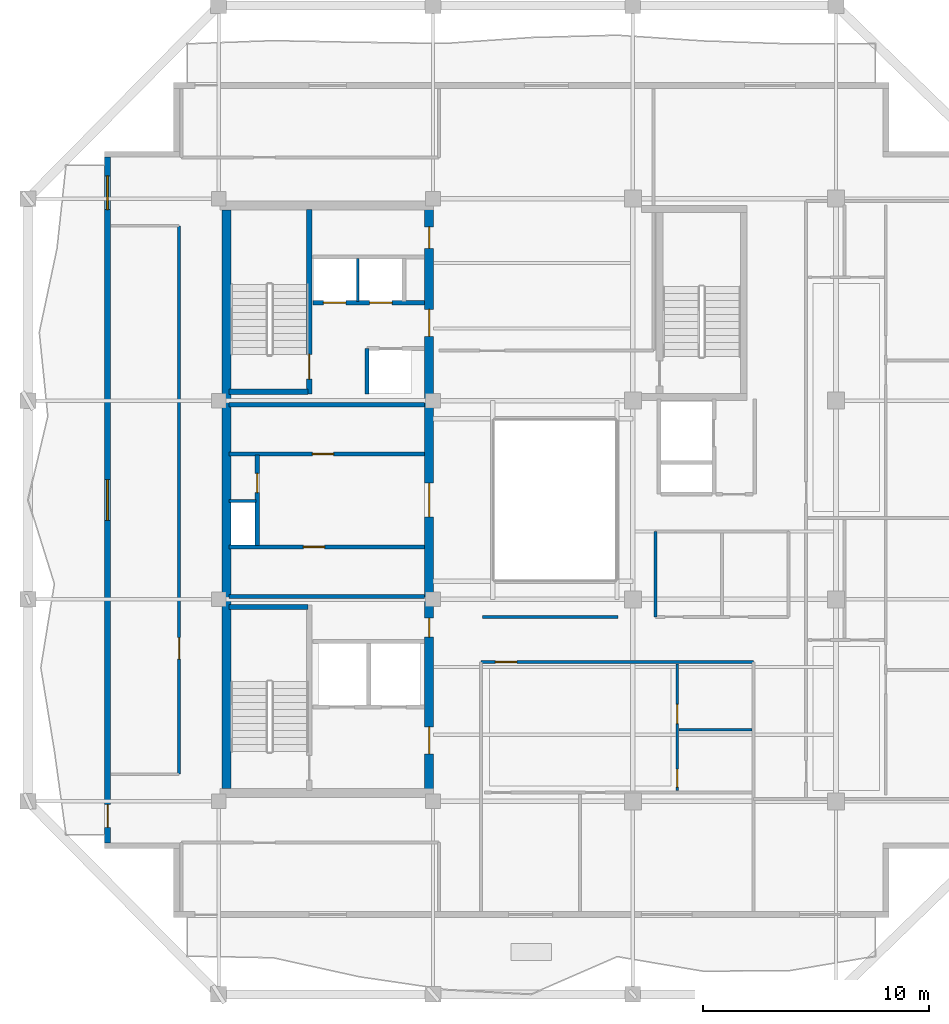
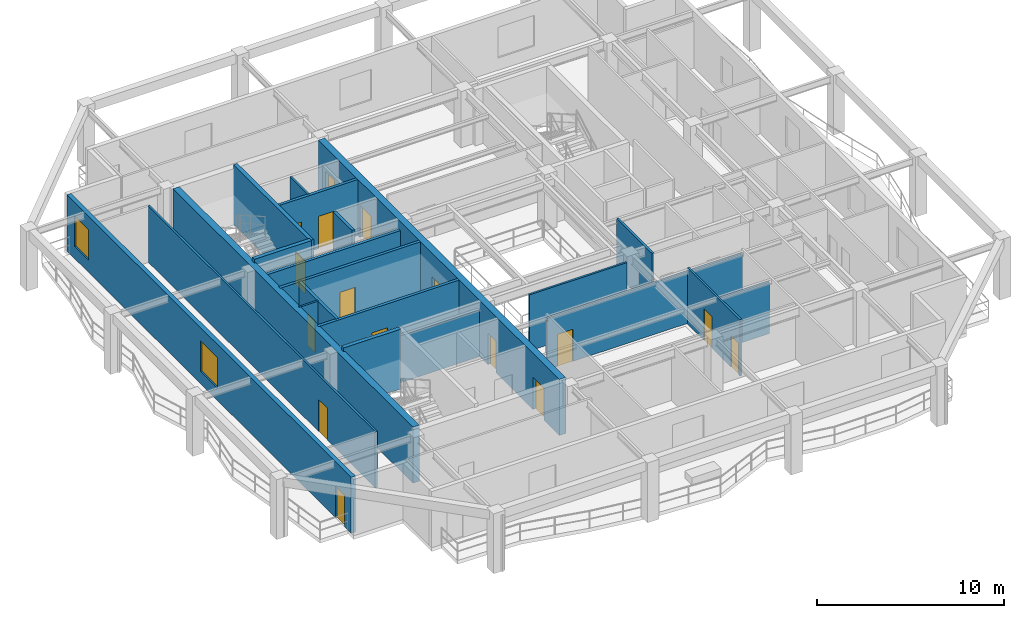
# One storey, part 3 of 10: 21 walls, 16 doors, 2 windows, 18 openings.
"""IFC4 building model written with IfcOpenShell, lengths in metres."""

from ifc_helpers import new_model, si_unit, direction, frame, frame_2d, origin, place, context, subcontext, project, spatial, rectangle, extrude, material, layer, layer_set, type_object, element, fill, save


model = new_model("IFC4")

# Units and contexts
model_context = context("Model", 3, precision=1e-05, world=origin(), true_north=direction((0.0, 1.0)))
body_context = subcontext(model_context, "Body", "Model", "MODEL_VIEW")
ifc_project = project(units=[si_unit("LENGTHUNIT", "METRE"), si_unit("AREAUNIT", "SQUARE_METRE"), si_unit("VOLUMEUNIT", "CUBIC_METRE"), si_unit("PLANEANGLEUNIT", "RADIAN"), si_unit("MASSUNIT", "GRAM", prefix="KILO")], contexts=[model_context])

# Site, building, storey
site_placement = place(None, origin())
site = spatial("IfcSite", under=ifc_project, at=site_placement, CompositionType="ELEMENT")
building_placement = place(site_placement, origin())
building = spatial("IfcBuilding", under=site, at=building_placement, Name="Kundavana Baori Tower", CompositionType="ELEMENT")
storey_placement = place(building_placement, frame((0.0, 0.0, 280.39990234375)))
storey = spatial("IfcBuildingStorey", under=building, at=storey_placement, Name="L69", CompositionType="ELEMENT", Elevation=280.39990234375)

# Wall
ifc_material_1 = material(Name="Concrete C50/60", Category="concrete")
ifc_layer_1 = layer(ifc_material_1, 0.39990234375, Name="WL-CORE-400")
ifc_layer_set_1 = layer_set([ifc_layer_1], Name="Concrete C50/60")
wall_type_1 = type_object("IfcWallType", Name="WL-CORE-400", PredefinedType="SHEAR", material=ifc_layer_set_1)
wall_1_placement = place(storey_placement, frame((15.7900390625, 15.81005859375, 0.0), z_axis=(0.0, 0.0, 1.0), x_axis=(0.0, 1.0, 0.0)))
element("IfcWall", 1, at=wall_1_placement, inside=storey, type_object=wall_type_1, Name="L69 Offset Core West Shear Wall", PredefinedType="SHEAR", context=body_context, shape_type="SweptSolid", body=[
    extrude(rectangle(XDim=25.6298828125, YDim=0.39990234375, at=frame_2d((12.81494140625, 0.0))), origin(), (0.0, 0.0, 1.0), 3.66015625),
])

# Wall, openings, doors
wall_2_placement = place(storey_placement, frame((24.780029296875, 15.739990234375, 0.0), z_axis=(0.0, 0.0, 1.0), x_axis=(0.0, 1.0, 0.0)))
wall_2 = element("IfcWall", 2, at=wall_2_placement, inside=storey, type_object=wall_type_1, Name="L69 Offset Core East Shear Wall", PredefinedType="SHEAR", context=body_context, shape_type="SweptSolid", body=[
    extrude(rectangle(XDim=25.760009765625, YDim=0.39990234375, at=frame_2d((12.8798828125, 0.0))), origin(), (0.0, 0.0, 1.0), 3.66015625),
])
opening_1_placement = place(wall_2_placement, frame((1.610107421875, 0.0, 0.0)))
opening_1 = element("IfcOpeningElement", 3, at=opening_1_placement, cuts=wall_2, Name="Opening FD-120", PredefinedType="OPENING", context=body_context, shape_type="SweptSolid", body=[
    extrude(rectangle(XDim=1.199951171875, YDim=2.10009765625, at=frame_2d((0.60009765625, 1.050048828125))), frame((0.0, 0.2099609375, 0.0), z_axis=(0.0, -1.0, 0.0), x_axis=(1.0, 0.0, 0.0)), (0.0, 0.0, 1.0), 0.419921875),
])
opening_2_placement = place(wall_2_placement, frame((6.780029296875, 0.0, 0.0)))
opening_2 = element("IfcOpeningElement", 4, at=opening_2_placement, cuts=wall_2, Name="Opening FD-085", PredefinedType="OPENING", context=body_context, shape_type="SweptSolid", body=[
    extrude(rectangle(XDim=0.85009765625, YDim=2.06005859375, at=frame_2d((0.425048828125, 1.030029296875))), frame((0.0, 0.2099609375, 0.0), z_axis=(0.0, -1.0, 0.0), x_axis=(1.0, 0.0, 0.0)), (0.0, 0.0, 1.0), 0.419921875),
])
opening_3_placement = place(wall_2_placement, frame((12.110107421875, 0.0, 0.0)))
opening_3 = element("IfcOpeningElement", 5, at=opening_3_placement, cuts=wall_2, Name="Opening FD-150", PredefinedType="OPENING", context=body_context, shape_type="SweptSolid", body=[
    extrude(rectangle(XDim=1.5, YDim=2.1201171875, at=frame_2d((0.75, 1.06005859375))), frame((0.0, 0.2099609375, 0.0), z_axis=(0.0, -1.0, 0.0), x_axis=(1.0, 0.0, 0.0)), (0.0, 0.0, 1.0), 0.419921875),
])
opening_4_placement = place(wall_2_placement, frame((20.110107421875, 0.0, 0.0)))
opening_4 = element("IfcOpeningElement", 6, at=opening_4_placement, cuts=wall_2, Name="Opening FD-122", PredefinedType="OPENING", context=body_context, shape_type="SweptSolid", body=[
    extrude(rectangle(XDim=1.199951171875, YDim=2.1201171875, at=frame_2d((0.60009765625, 1.06005859375))), frame((0.0, 0.2099609375, 0.0), z_axis=(0.0, -1.0, 0.0), x_axis=(1.0, 0.0, 0.0)), (0.0, 0.0, 1.0), 0.419921875),
])
opening_5_placement = place(wall_2_placement, frame((24.010009765625, 0.0, 0.0)))
opening_5 = element("IfcOpeningElement", 7, at=opening_5_placement, cuts=wall_2, Name="Opening FD-095", PredefinedType="OPENING", context=body_context, shape_type="SweptSolid", body=[
    extrude(rectangle(XDim=0.949951171875, YDim=2.10009765625, at=frame_2d((0.47509765625, 1.050048828125))), frame((0.0, 0.2099609375, 0.0), z_axis=(0.0, -1.0, 0.0), x_axis=(1.0, 0.0, 0.0)), (0.0, 0.0, 1.0), 0.419921875),
])
ifc_material_2 = material(Name="Galvanised Steel Fire-Rated Door Leaf", Category="steel")
door_type_1 = type_object("IfcDoorType", Name="DR-FD120-1200", OperationType="NOTDEFINED", PredefinedType="DOOR", material=ifc_material_2)
door_1_placement = place(opening_1_placement, frame((1.199951171875, 0.0, 0.0), z_axis=(0.0, 0.0, 1.0), x_axis=(-1.0, 0.0, 0.0)))
door_1 = element("IfcDoor", 8, at=door_1_placement, inside=storey, type_object=door_type_1, Name="DR-L69-FFLOB-E", OperationType="SINGLE_SWING_RIGHT", OverallHeight=2.10009765625, OverallWidth=1.199951171875, PredefinedType="DOOR", context=body_context, shape_type="SweptSolid", body=[
    extrude(rectangle(XDim=1.199951171875, YDim=2.10009765625, at=frame_2d((0.60009765625, 1.050048828125))), frame((0.0, 0.02490234375, 0.0), z_axis=(0.0, -1.0, 0.0), x_axis=(1.0, 0.0, 0.0)), (0.0, 0.0, 1.0), 0.050048828125),
])
fill(opening_1, door_1)
ifc_material_3 = material(Name="Galvanised Steel Fire-Rated Door Leaf", Category="steel")
door_type_2 = type_object("IfcDoorType", Name="DR-FD60-1200", OperationType="NOTDEFINED", PredefinedType="DOOR", material=ifc_material_3)
door_2_placement = place(opening_4_placement, frame((1.199951171875, 0.0, 0.0), z_axis=(0.0, 0.0, 1.0), x_axis=(-1.0, 0.0, 0.0)))
door_2 = element("IfcDoor", 9, at=door_2_placement, inside=storey, type_object=door_type_2, Name="DR-L69-HRLOB-E", OperationType="SINGLE_SWING_RIGHT", OverallHeight=2.1201171875, OverallWidth=1.199951171875, PredefinedType="DOOR", context=body_context, shape_type="SweptSolid", body=[
    extrude(rectangle(XDim=1.199951171875, YDim=2.1201171875, at=frame_2d((0.60009765625, 1.06005859375))), frame((0.0, 0.02490234375, 0.0), z_axis=(0.0, -1.0, 0.0), x_axis=(1.0, 0.0, 0.0)), (0.0, 0.0, 1.0), 0.050048828125),
])
fill(opening_4, door_2)
ifc_material_4 = material(Name="Galvanised Steel Fire-Rated Door Leaf", Category="steel")
door_type_3 = type_object("IfcDoorType", Name="DR-FD60-1500", OperationType="NOTDEFINED", PredefinedType="DOOR", material=ifc_material_4)
door_3_placement = place(opening_3_placement, frame((1.5, 0.0, 0.0), z_axis=(0.0, 0.0, 1.0), x_axis=(-1.0, 0.0, 0.0)))
door_3 = element("IfcDoor", 10, at=door_3_placement, inside=storey, type_object=door_type_3, Name="DR-L69-LIFTHALL-E", OperationType="SINGLE_SWING_LEFT", OverallHeight=2.1201171875, OverallWidth=1.5, PredefinedType="DOOR", context=body_context, shape_type="SweptSolid", body=[
    extrude(rectangle(XDim=1.5, YDim=2.1201171875, at=frame_2d((0.75, 1.06005859375))), frame((0.0, 0.02490234375, 0.0), z_axis=(0.0, -1.0, 0.0), x_axis=(1.0, 0.0, 0.0)), (0.0, 0.0, 1.0), 0.050048828125),
])
fill(opening_3, door_3)
ifc_material_5 = material(Name="Galvanised Steel Fire-Rated Door Leaf", Category="steel")
door_type_4 = type_object("IfcDoorType", Name="DR-FD60-850", OperationType="NOTDEFINED", PredefinedType="DOOR", material=ifc_material_5)
door_4_placement = place(opening_2_placement, frame((0.85009765625, 0.0, 0.0), z_axis=(0.0, 0.0, 1.0), x_axis=(-1.0, 0.0, 0.0)))
door_4 = element("IfcDoor", 11, at=door_4_placement, inside=storey, type_object=door_type_4, Name="DR-L69-CSMK1", OperationType="SINGLE_SWING_LEFT", OverallHeight=2.06005859375, OverallWidth=0.85009765625, PredefinedType="DOOR", context=body_context, shape_type="SweptSolid", body=[
    extrude(rectangle(XDim=0.85009765625, YDim=2.06005859375, at=frame_2d((0.425048828125, 1.030029296875))), frame((0.0, 0.02490234375, 0.0), z_axis=(0.0, -1.0, 0.0), x_axis=(1.0, 0.0, 0.0)), (0.0, 0.0, 1.0), 0.050048828125),
])
fill(opening_2, door_4)
ifc_material_6 = material(Name="Engineered Teak Fire-Rated Timber Door Leaf", Category="wood")
door_type_5 = type_object("IfcDoorType", Name="DR-FD60-950", OperationType="NOTDEFINED", PredefinedType="DOOR", material=ifc_material_6)
door_5_placement = place(opening_5_placement, frame((0.949951171875, 0.0, 0.0), z_axis=(0.0, 0.0, 1.0), x_axis=(-1.0, 0.0, 0.0)))
door_5 = element("IfcDoor", 12, at=door_5_placement, inside=storey, type_object=door_type_5, Name="DR-L69-CSRV1", OperationType="SINGLE_SWING_LEFT", OverallHeight=2.10009765625, OverallWidth=0.949951171875, PredefinedType="DOOR", context=body_context, shape_type="SweptSolid", body=[
    extrude(rectangle(XDim=0.949951171875, YDim=2.10009765625, at=frame_2d((0.47509765625, 1.050048828125))), frame((0.0, 0.02490234375, 0.0), z_axis=(0.0, -1.0, 0.0), x_axis=(1.0, 0.0, 0.0)), (0.0, 0.0, 1.0), 0.050048828125),
])
fill(opening_5, door_5)

# Wall
wall_3_placement = place(storey_placement, frame((15.89990234375, 23.860107421875, 0.0), z_axis=(0.0, 0.0, 1.0), x_axis=(1.0, 0.0, 0.0)))
element("IfcWall", 13, at=wall_3_placement, inside=storey, type_object=wall_type_1, Name="WL-L69-ST1-N", PredefinedType="SHEAR", context=body_context, shape_type="SweptSolid", body=[
    extrude(rectangle(XDim=3.52001953125, YDim=0.239990234375, at=frame_2d((1.760009765625, 0.0))), origin(), (0.0, 0.0, 1.0), 3.900146484375),
])

# Wall, opening, door
wall_4_placement = place(storey_placement, frame((19.4599609375, 33.300048828125, 0.0), z_axis=(0.0, 0.0, 1.0), x_axis=(0.0, 1.0, 0.0)))
wall_4 = element("IfcWall", 14, at=wall_4_placement, inside=storey, type_object=wall_type_1, Name="WL-L69-ST2-E", PredefinedType="SHEAR", context=body_context, shape_type="SweptSolid", body=[
    extrude(rectangle(XDim=8.179931640625, YDim=0.239990234375, at=frame_2d((4.08984375, 0.0))), origin(), (0.0, 0.0, 1.0), 3.900146484375),
])
opening_6_placement = place(wall_4_placement, frame((0.64990234375, 0.0, 0.0)))
opening_6 = element("IfcOpeningElement", 15, at=opening_6_placement, cuts=wall_4, Name="Opening FD-110", PredefinedType="OPENING", context=body_context, shape_type="SweptSolid", body=[
    extrude(rectangle(XDim=1.10009765625, YDim=2.10009765625, at=frame_2d((0.550048828125, 1.050048828125))), frame((0.0, 0.1298828125, 0.0), z_axis=(0.0, -1.0, 0.0), x_axis=(1.0, 0.0, 0.0)), (0.0, 0.0, 1.0), 0.260009765625),
])
ifc_material_7 = material(Name="Galvanised Steel Fire-Rated Door Leaf", Category="steel")
door_type_6 = type_object("IfcDoorType", Name="DR-FD120-1100", OperationType="NOTDEFINED", PredefinedType="DOOR", material=ifc_material_7)
door_6_placement = place(opening_6_placement, origin())
door_6 = element("IfcDoor", 16, at=door_6_placement, inside=storey, type_object=door_type_6, Name="DR-L69-ST2", OperationType="SINGLE_SWING_RIGHT", OverallHeight=2.10009765625, OverallWidth=1.10009765625, PredefinedType="DOOR", context=body_context, shape_type="SweptSolid", body=[
    extrude(rectangle(XDim=1.10009765625, YDim=2.10009765625, at=frame_2d((0.550048828125, 1.050048828125))), frame((0.0, 0.02490234375, 0.0), z_axis=(0.0, -1.0, 0.0), x_axis=(1.0, 0.0, 0.0)), (0.0, 0.0, 1.0), 0.050048828125),
])
fill(opening_6, door_6)

# Wall
wall_5_placement = place(storey_placement, frame((15.89990234375, 33.389892578125, 0.0), z_axis=(0.0, 0.0, 1.0), x_axis=(1.0, 0.0, 0.0)))
element("IfcWall", 17, at=wall_5_placement, inside=storey, type_object=wall_type_1, Name="WL-L69-ST2-S", PredefinedType="SHEAR", context=body_context, shape_type="SweptSolid", body=[
    extrude(rectangle(XDim=3.52001953125, YDim=0.239990234375, at=frame_2d((1.760009765625, 0.0))), origin(), (0.0, 0.0, 1.0), 3.900146484375),
])

# Wall, openings, door, windows
ifc_material_8 = material(Name="Kiln-Fired Terracotta Brick-Slip Masonry on Concrete C40/50", Category="masonry")
ifc_layer_2 = layer(ifc_material_8, 0.260009765625, Name="WL-EXT-BRK-260")
ifc_layer_set_2 = layer_set([ifc_layer_2], Name="Kiln-Fired Terracotta Brick-Slip Masonry on Concrete C40/50")
wall_type_2 = type_object("IfcWallType", Name="WL-EXT-BRK-260", PredefinedType="SOLIDWALL", material=ifc_layer_set_2)
wall_6_placement = place(storey_placement, frame((10.530029296875, 43.7900390625, 0.0), z_axis=(0.0, 0.0, 1.0), x_axis=(0.0, -1.0, 0.0)))
wall_6 = element("IfcWall", 18, at=wall_6_placement, inside=storey, type_object=wall_type_2, Name="L69 Exterior Insulated Facade Wall 10", PredefinedType="SOLIDWALL", context=body_context, shape_type="SweptSolid", body=[
    extrude(rectangle(XDim=30.380126953125, YDim=0.260009765625, at=frame_2d((15.18994140625, 0.0))), origin(), (0.0, 0.0, 1.0), 3.66015625),
])
opening_7_placement = place(wall_6_placement, frame((28.68994140625, 0.0, 0.0)))
opening_7 = element("IfcOpeningElement", 19, at=opening_7_placement, cuts=wall_6, Name="Opening BD-1", PredefinedType="OPENING", context=body_context, shape_type="SweptSolid", body=[
    extrude(rectangle(XDim=1.0, YDim=2.050048828125, at=frame_2d((0.5, 1.02490234375))), frame((0.0, 0.14013671875, 0.0), z_axis=(0.0, -1.0, 0.0), x_axis=(1.0, 0.0, 0.0)), (0.0, 0.0, 1.0), 0.280029296875),
])
opening_8_placement = place(wall_6_placement, frame((14.2900390625, 0.0, 0.800048828125)))
opening_8 = element("IfcOpeningElement", 20, at=opening_8_placement, cuts=wall_6, Name="Opening W-01", PredefinedType="OPENING", context=body_context, shape_type="SweptSolid", body=[
    extrude(rectangle(XDim=1.800048828125, YDim=2.0, at=frame_2d((0.89990234375, 1.0))), frame((0.0, 0.14013671875, 0.0), z_axis=(0.0, -1.0, 0.0), x_axis=(1.0, 0.0, 0.0)), (0.0, 0.0, 1.0), 0.280029296875),
])
opening_9_placement = place(wall_6_placement, frame((0.824951171875, 0.0, 0.800048828125)))
opening_9 = element("IfcOpeningElement", 21, at=opening_9_placement, cuts=wall_6, Name="Opening W-02", PredefinedType="OPENING", context=body_context, shape_type="SweptSolid", body=[
    extrude(rectangle(XDim=1.5, YDim=2.0, at=frame_2d((0.75, 1.0))), frame((0.0, 0.14013671875, 0.0), z_axis=(0.0, -1.0, 0.0), x_axis=(1.0, 0.0, 0.0)), (0.0, 0.0, 1.0), 0.280029296875),
])
ifc_material_9 = material(Name="Architectural Patinated Bronze Metalwork")
door_type_7 = type_object("IfcDoorType", Name="DR-EXT-LOG-1000", OperationType="NOTDEFINED", PredefinedType="DOOR", material=ifc_material_9)
door_7_placement = place(opening_7_placement, frame((1.0, 0.0, 0.0), z_axis=(0.0, 0.0, 1.0), x_axis=(-1.0, 0.0, 0.0)))
door_7 = element("IfcDoor", 22, at=door_7_placement, inside=storey, type_object=door_type_7, Name="L69 Loggia Balcony Access Door W", OperationType="SINGLE_SWING_RIGHT", OverallHeight=2.050048828125, OverallWidth=1.0, PredefinedType="DOOR", context=body_context, shape_type="SweptSolid", body=[
    extrude(rectangle(XDim=1.0, YDim=2.050048828125, at=frame_2d((0.5, 1.02490234375))), frame((0.0, 0.02490234375, 0.0), z_axis=(0.0, -1.0, 0.0), x_axis=(1.0, 0.0, 0.0)), (0.0, 0.0, 1.0), 0.050048828125),
])
fill(opening_7, door_7)
ifc_material_10 = material(Name="Double-Glazed Solar-Control Low-E Insulated Glass", Category="glass")
window_type_1 = type_object("IfcWindowType", Name="WIN-LOG-1500x2000", PartitioningType="SINGLE_PANEL", PredefinedType="WINDOW", material=ifc_material_10)
window_1_placement = place(opening_9_placement, origin())
window_1 = element("IfcWindow", 23, at=window_1_placement, inside=storey, type_object=window_type_1, Name="L69 Recessed Loggia Window W-3", OverallHeight=2.0, OverallWidth=1.5, PartitioningType="SINGLE_PANEL", PredefinedType="WINDOW", context=body_context, shape_type="SweptSolid", body=[
    extrude(rectangle(XDim=1.5, YDim=2.0, at=frame_2d((0.75, 1.0))), frame((0.0, 0.030029296875, 0.0), z_axis=(0.0, -1.0, 0.0), x_axis=(1.0, 0.0, 0.0)), (0.0, 0.0, 1.0), 0.06005859375),
])
fill(opening_9, window_1)
ifc_material_11 = material(Name="Double-Glazed Solar-Control Low-E Insulated Glass", Category="glass")
window_type_2 = type_object("IfcWindowType", Name="WIN-LOG-1800x2000", PartitioningType="SINGLE_PANEL", PredefinedType="WINDOW", material=ifc_material_11)
window_2_placement = place(opening_8_placement, origin())
window_2 = element("IfcWindow", 24, at=window_2_placement, inside=storey, type_object=window_type_2, Name="L69 Recessed Loggia Window W-2", OverallHeight=2.0, OverallWidth=1.800048828125, PartitioningType="SINGLE_PANEL", PredefinedType="WINDOW", context=body_context, shape_type="SweptSolid", body=[
    extrude(rectangle(XDim=1.800048828125, YDim=2.0, at=frame_2d((0.89990234375, 1.0))), frame((0.0, 0.030029296875, 0.0), z_axis=(0.0, -1.0, 0.0), x_axis=(1.0, 0.0, 0.0)), (0.0, 0.0, 1.0), 0.06005859375),
])
fill(opening_8, window_2)

# Walls
ifc_material_12 = material(Name="Acoustic Gypsum Plasterboard on Galvanised Steel Studs", Category="steel")
ifc_layer_3 = layer(ifc_material_12, 0.1201171875, Name="WL-PART-120")
ifc_layer_set_3 = layer_set([ifc_layer_3], Name="Acoustic Gypsum Plasterboard on Galvanised Steel Studs")
wall_type_3 = type_object("IfcWallType", Name="WL-PART-120", PredefinedType="PARTITIONING", material=ifc_layer_set_3)
wall_7_placement = place(storey_placement, frame((15.89990234375, 28.56005859375, 0.0), z_axis=(0.0, 0.0, 1.0), x_axis=(1.0, 0.0, 0.0)))
element("IfcWall", 25, at=wall_7_placement, inside=storey, type_object=wall_type_3, Name="WL-L69-RSRW-N", PredefinedType="PARTITIONING", context=body_context, shape_type="SweptSolid", body=[
    extrude(rectangle(XDim=1.2001953125, YDim=0.1201171875, at=frame_2d((0.60009765625, 0.0))), origin(), (0.0, 0.0, 1.0), 3.66015625),
])
wall_8_placement = place(storey_placement, frame((21.6201171875, 37.39990234375, 0.0), z_axis=(0.0, 0.0, 1.0), x_axis=(0.0, 1.0, 0.0)))
element("IfcWall", 26, at=wall_8_placement, inside=storey, type_object=wall_type_3, Name="WL-L69-HR-DIV1", PredefinedType="PARTITIONING", context=body_context, shape_type="SweptSolid", body=[
    extrude(rectangle(XDim=1.900146484375, YDim=0.1201171875, at=frame_2d((0.9501953125, 0.0))), origin(), (0.0, 0.0, 1.0), 3.66015625),
])

# Wall, opening, door
ifc_material_13 = material(Name="Autoclaved Aerated Concrete Blockwork Masonry", Category="masonry")
ifc_layer_4 = layer(ifc_material_13, 0.179931640625, Name="WL-SHAFT-180")
ifc_layer_set_4 = layer_set([ifc_layer_4], Name="Autoclaved Aerated Concrete Blockwork Masonry")
wall_type_4 = type_object("IfcWallType", Name="WL-SHAFT-180", PredefinedType="SOLIDWALL", material=ifc_layer_set_4)
wall_9_placement = place(storey_placement, frame((15.89990234375, 26.52001953125, 0.0), z_axis=(0.0, 0.0, 1.0), x_axis=(1.0, 0.0, 0.0)))
wall_9 = element("IfcWall", 27, at=wall_9_placement, inside=storey, type_object=wall_type_4, Name="WL-L69-LPLOW-N", PredefinedType="SOLIDWALL", context=body_context, shape_type="SweptSolid", body=[
    extrude(rectangle(XDim=8.68017578125, YDim=0.179931640625, at=frame_2d((4.340087890625, 0.0))), origin(), (0.0, 0.0, 1.0), 3.66015625),
])
opening_10_placement = place(wall_9_placement, frame((3.300048828125, 0.0, 0.0)))
opening_10 = element("IfcOpeningElement", 28, at=opening_10_placement, cuts=wall_9, Name="Opening FD-095", PredefinedType="OPENING", context=body_context, shape_type="SweptSolid", body=[
    extrude(rectangle(XDim=0.949951171875, YDim=2.10009765625, at=frame_2d((0.47509765625, 1.050048828125))), frame((0.0, 0.10009765625, 0.0), z_axis=(0.0, -1.0, 0.0), x_axis=(1.0, 0.0, 0.0)), (0.0, 0.0, 1.0), 0.199951171875),
])
door_8_placement = place(opening_10_placement, origin())
door_8 = element("IfcDoor", 29, at=door_8_placement, inside=storey, type_object=door_type_5, Name="DR-L69-FRLOW1", OperationType="SINGLE_SWING_LEFT", OverallHeight=2.10009765625, OverallWidth=0.949951171875, PredefinedType="DOOR", context=body_context, shape_type="SweptSolid", body=[
    extrude(rectangle(XDim=0.949951171875, YDim=2.10009765625, at=frame_2d((0.47509765625, 1.050048828125))), frame((0.0, 0.02490234375, 0.0), z_axis=(0.0, -1.0, 0.0), x_axis=(1.0, 0.0, 0.0)), (0.0, 0.0, 1.0), 0.050048828125),
])
fill(opening_10, door_8)

# Wall
wall_10_placement = place(storey_placement, frame((15.89990234375, 24.330078125, 0.0), z_axis=(0.0, 0.0, 1.0), x_axis=(1.0, 0.0, 0.0)))
element("IfcWall", 30, at=wall_10_placement, inside=storey, type_object=wall_type_4, Name="WL-L69-LPLOW-S", PredefinedType="SOLIDWALL", context=body_context, shape_type="SweptSolid", body=[
    extrude(rectangle(XDim=8.68017578125, YDim=0.179931640625, at=frame_2d((4.340087890625, 0.0))), origin(), (0.0, 0.0, 1.0), 3.06005859375),
])

# Wall, opening, door
wall_11_placement = place(storey_placement, frame((17.159912109375, 26.580078125, 0.0), z_axis=(0.0, 0.0, 1.0), x_axis=(0.0, 1.0, 0.0)))
wall_11 = element("IfcWall", 31, at=wall_11_placement, inside=storey, type_object=wall_type_4, Name="WL-L69-RSRW-E", PredefinedType="SOLIDWALL", context=body_context, shape_type="SweptSolid", body=[
    extrude(rectangle(XDim=4.02001953125, YDim=0.179931640625, at=frame_2d((2.010009765625, 0.0))), origin(), (0.0, 0.0, 1.0), 3.66015625),
])
opening_11_placement = place(wall_11_placement, frame((2.35009765625, 0.0, 0.0)))
opening_11 = element("IfcOpeningElement", 32, at=opening_11_placement, cuts=wall_11, Name="Opening FD-085", PredefinedType="OPENING", context=body_context, shape_type="SweptSolid", body=[
    extrude(rectangle(XDim=0.85009765625, YDim=2.06005859375, at=frame_2d((0.425048828125, 1.030029296875))), frame((0.0, 0.10009765625, 0.0), z_axis=(0.0, -1.0, 0.0), x_axis=(1.0, 0.0, 0.0)), (0.0, 0.0, 1.0), 0.199951171875),
])
door_9_placement = place(opening_11_placement, origin())
door_9 = element("IfcDoor", 33, at=door_9_placement, inside=storey, type_object=door_type_4, Name="DR-L69-CLN", OperationType="SINGLE_SWING_RIGHT", OverallHeight=2.06005859375, OverallWidth=0.85009765625, PredefinedType="DOOR", context=body_context, shape_type="SweptSolid", body=[
    extrude(rectangle(XDim=0.85009765625, YDim=2.06005859375, at=frame_2d((0.425048828125, 1.030029296875))), frame((0.0, 0.02490234375, 0.0), z_axis=(0.0, -1.0, 0.0), x_axis=(1.0, 0.0, 0.0)), (0.0, 0.0, 1.0), 0.050048828125),
])
fill(opening_11, door_9)

wall_12_placement = place(storey_placement, frame((15.89990234375, 30.639892578125, 0.0), z_axis=(0.0, 0.0, 1.0), x_axis=(1.0, 0.0, 0.0)))
wall_12 = element("IfcWall", 34, at=wall_12_placement, inside=storey, type_object=wall_type_4, Name="WL-L69-LPMID-S", PredefinedType="SOLIDWALL", context=body_context, shape_type="SweptSolid", body=[
    extrude(rectangle(XDim=8.68017578125, YDim=0.179931640625, at=frame_2d((4.340087890625, 0.0))), origin(), (0.0, 0.0, 1.0), 3.66015625),
])
opening_12_placement = place(wall_12_placement, frame((3.699951171875, 0.0, 0.0)))
opening_12 = element("IfcOpeningElement", 35, at=opening_12_placement, cuts=wall_12, Name="Opening FD-095", PredefinedType="OPENING", context=body_context, shape_type="SweptSolid", body=[
    extrude(rectangle(XDim=0.949951171875, YDim=2.10009765625, at=frame_2d((0.47509765625, 1.050048828125))), frame((0.0, 0.10009765625, 0.0), z_axis=(0.0, -1.0, 0.0), x_axis=(1.0, 0.0, 0.0)), (0.0, 0.0, 1.0), 0.199951171875),
])
door_10_placement = place(opening_12_placement, frame((0.949951171875, 0.0, 0.0), z_axis=(0.0, 0.0, 1.0), x_axis=(-1.0, 0.0, 0.0)))
door_10 = element("IfcDoor", 36, at=door_10_placement, inside=storey, type_object=door_type_5, Name="DR-L69-FRMID1", OperationType="SINGLE_SWING_RIGHT", OverallHeight=2.10009765625, OverallWidth=0.949951171875, PredefinedType="DOOR", context=body_context, shape_type="SweptSolid", body=[
    extrude(rectangle(XDim=0.949951171875, YDim=2.10009765625, at=frame_2d((0.47509765625, 1.050048828125))), frame((0.0, 0.02490234375, 0.0), z_axis=(0.0, -1.0, 0.0), x_axis=(1.0, 0.0, 0.0)), (0.0, 0.0, 1.0), 0.050048828125),
])
fill(opening_12, door_10)

# Walls
wall_13_placement = place(storey_placement, frame((15.89990234375, 32.820068359375, 0.0), z_axis=(0.0, 0.0, 1.0), x_axis=(1.0, 0.0, 0.0)))
element("IfcWall", 37, at=wall_13_placement, inside=storey, type_object=wall_type_4, Name="WL-L69-LPMID-N", PredefinedType="SOLIDWALL", context=body_context, shape_type="SweptSolid", body=[
    extrude(rectangle(XDim=8.68017578125, YDim=0.179931640625, at=frame_2d((4.340087890625, 0.0))), origin(), (0.0, 0.0, 1.0), 3.06005859375),
])
wall_14_placement = place(storey_placement, frame((22.02001953125, 33.300048828125, 0.0), z_axis=(0.0, 0.0, 1.0), x_axis=(0.0, 1.0, 0.0)))
element("IfcWall", 38, at=wall_14_placement, inside=storey, type_object=wall_type_4, Name="WL-L69-LP11-W", PredefinedType="SOLIDWALL", context=body_context, shape_type="SweptSolid", body=[
    extrude(rectangle(XDim=2.010009765625, YDim=0.179931640625, at=frame_2d((1.0048828125, 0.0))), origin(), (0.0, 0.0, 1.0), 3.66015625),
])

# Wall, openings, doors
wall_15_placement = place(storey_placement, frame((19.639892578125, 37.340087890625, 0.0), z_axis=(0.0, 0.0, 1.0), x_axis=(1.0, 0.0, 0.0)))
wall_15 = element("IfcWall", 39, at=wall_15_placement, inside=storey, type_object=wall_type_4, Name="WL-L69-HRLOB-N", PredefinedType="SOLIDWALL", context=body_context, shape_type="SweptSolid", body=[
    extrude(rectangle(XDim=4.940185546875, YDim=0.179931640625, at=frame_2d((2.47021484375, 0.0))), origin(), (0.0, 0.0, 1.0), 3.66015625),
])
opening_13_placement = place(wall_15_placement, frame((0.449951171875, 0.0, 0.0)))
opening_13 = element("IfcOpeningElement", 40, at=opening_13_placement, cuts=wall_15, Name="Opening LD-100", PredefinedType="OPENING", context=body_context, shape_type="SweptSolid", body=[
    extrude(rectangle(XDim=1.0, YDim=2.10009765625, at=frame_2d((0.5, 1.050048828125))), frame((0.0, 0.10009765625, 0.0), z_axis=(0.0, -1.0, 0.0), x_axis=(1.0, 0.0, 0.0)), (0.0, 0.0, 1.0), 0.199951171875),
])
opening_14_placement = place(wall_15_placement, frame((2.5, 0.0, 0.0)))
opening_14 = element("IfcOpeningElement", 41, at=opening_14_placement, cuts=wall_15, Name="Opening LD-100", PredefinedType="OPENING", context=body_context, shape_type="SweptSolid", body=[
    extrude(rectangle(XDim=1.0, YDim=2.10009765625, at=frame_2d((0.5, 1.050048828125))), frame((0.0, 0.10009765625, 0.0), z_axis=(0.0, -1.0, 0.0), x_axis=(1.0, 0.0, 0.0)), (0.0, 0.0, 1.0), 0.199951171875),
])
ifc_material_14 = material(Name="Galvanised Steel Fire-Rated Door Leaf", Category="steel")
door_type_8 = type_object("IfcDoorType", Name="DR-SLIDE-LD1000", OperationType="NOTDEFINED", PredefinedType="DOOR", material=ifc_material_14)
door_11_placement = place(opening_13_placement, frame((1.0, 0.0, 0.0), z_axis=(0.0, 0.0, 1.0), x_axis=(-1.0, 0.0, 0.0)))
door_11 = element("IfcDoor", 42, at=door_11_placement, inside=storey, type_object=door_type_8, Name="DR-L69-LD-LP09", OperationType="DOUBLE_DOOR_SLIDING", OverallHeight=2.10009765625, OverallWidth=1.0, PredefinedType="DOOR", context=body_context, shape_type="SweptSolid", body=[
    extrude(rectangle(XDim=1.0, YDim=2.10009765625, at=frame_2d((0.5, 1.050048828125))), frame((0.0, 0.02490234375, 0.0), z_axis=(0.0, -1.0, 0.0), x_axis=(1.0, 0.0, 0.0)), (0.0, 0.0, 1.0), 0.050048828125),
])
fill(opening_13, door_11)
door_12_placement = place(opening_14_placement, frame((1.0, 0.0, 0.0), z_axis=(0.0, 0.0, 1.0), x_axis=(-1.0, 0.0, 0.0)))
door_12 = element("IfcDoor", 43, at=door_12_placement, inside=storey, type_object=door_type_8, Name="DR-L69-LD-LP10", OperationType="DOUBLE_DOOR_SLIDING", OverallHeight=2.10009765625, OverallWidth=1.0, PredefinedType="DOOR", context=body_context, shape_type="SweptSolid", body=[
    extrude(rectangle(XDim=1.0, YDim=2.10009765625, at=frame_2d((0.5, 1.050048828125))), frame((0.0, 0.02490234375, 0.0), z_axis=(0.0, -1.0, 0.0), x_axis=(1.0, 0.0, 0.0)), (0.0, 0.0, 1.0), 0.050048828125),
])
fill(opening_14, door_12)

# Wall, opening, door
ifc_material_15 = material(Name="Autoclaved Aerated Concrete Blockwork Masonry", Category="masonry")
ifc_layer_5 = layer(ifc_material_15, 0.125, Name="WL-WET-120")
ifc_layer_set_5 = layer_set([ifc_layer_5], Name="Autoclaved Aerated Concrete Blockwork Masonry")
wall_type_5 = type_object("IfcWallType", Name="WL-WET-120", PredefinedType="PLUMBINGWALL", material=ifc_layer_set_5)
wall_16_placement = place(storey_placement, frame((27.080078125, 21.419921875, 0.0), z_axis=(0.0, 0.0, 1.0), x_axis=(1.0, 0.0, 0.0)))
wall_16 = element("IfcWall", 44, at=wall_16_placement, inside=storey, type_object=wall_type_5, Name="WL-L69-RS", PredefinedType="PLUMBINGWALL", context=body_context, shape_type="SweptSolid", body=[
    extrude(rectangle(XDim=12.06982421875, YDim=0.125, at=frame_2d((6.034912109375, 0.0))), origin(), (0.0, 0.0, 1.0), 3.360107421875),
])
opening_15_placement = place(wall_16_placement, frame((0.6298828125, 0.0, 0.0)))
opening_15 = element("IfcOpeningElement", 45, at=opening_15_placement, cuts=wall_16, Name="Opening FD-095", PredefinedType="OPENING", context=body_context, shape_type="SweptSolid", body=[
    extrude(rectangle(XDim=0.949951171875, YDim=2.10009765625, at=frame_2d((0.47509765625, 1.050048828125))), frame((0.0, 0.072509765625, 0.0), z_axis=(0.0, -1.0, 0.0), x_axis=(1.0, 0.0, 0.0)), (0.0, 0.0, 1.0), 0.14501953125),
])
door_13_placement = place(opening_15_placement, frame((0.949951171875, 0.0, 0.0), z_axis=(0.0, 0.0, 1.0), x_axis=(-1.0, 0.0, 0.0)))
door_13 = element("IfcDoor", 46, at=door_13_placement, inside=storey, type_object=door_type_5, Name="DR-L69-S1-ENT", OperationType="SINGLE_SWING_RIGHT", OverallHeight=2.10009765625, OverallWidth=0.949951171875, PredefinedType="DOOR", context=body_context, shape_type="SweptSolid", body=[
    extrude(rectangle(XDim=0.949951171875, YDim=2.10009765625, at=frame_2d((0.47509765625, 1.050048828125))), frame((0.0, 0.02490234375, 0.0), z_axis=(0.0, -1.0, 0.0), x_axis=(1.0, 0.0, 0.0)), (0.0, 0.0, 1.0), 0.050048828125),
])
fill(opening_15, door_13)

# Wall
wall_17_placement = place(storey_placement, frame((27.14990234375, 23.419921875, 0.0), z_axis=(0.0, 0.0, 1.0), x_axis=(1.0, 0.0, 0.0)))
element("IfcWall", 47, at=wall_17_placement, inside=storey, type_object=wall_type_5, Name="WL-L69-RST", PredefinedType="PLUMBINGWALL", context=body_context, shape_type="SweptSolid", body=[
    extrude(rectangle(XDim=6.0, YDim=0.125, at=frame_2d((3.0, 0.0))), origin(), (0.0, 0.0, 1.0), 3.66015625),
])

# Wall, opening, door
wall_18_placement = place(storey_placement, frame((13.699951171875, 16.449951171875, 0.0), z_axis=(0.0, 0.0, 1.0), x_axis=(0.0, 1.0, 0.0)))
wall_18 = element("IfcWall", 48, at=wall_18_placement, inside=storey, type_object=wall_type_5, Name="WL-L69-RW", PredefinedType="PLUMBINGWALL", context=body_context, shape_type="SweptSolid", body=[
    extrude(rectangle(XDim=24.300048828125, YDim=0.125, at=frame_2d((12.14990234375, 0.0))), origin(), (0.0, 0.0, 1.0), 3.66015625),
])
opening_16_placement = place(wall_18_placement, frame((5.10009765625, 0.0, 0.0)))
opening_16 = element("IfcOpeningElement", 49, at=opening_16_placement, cuts=wall_18, Name="Opening ID-095", PredefinedType="OPENING", context=body_context, shape_type="SweptSolid", body=[
    extrude(rectangle(XDim=0.949951171875, YDim=2.080078125, at=frame_2d((0.47509765625, 1.0400390625))), frame((0.0, 0.072509765625, 0.0), z_axis=(0.0, -1.0, 0.0), x_axis=(1.0, 0.0, 0.0)), (0.0, 0.0, 1.0), 0.14501953125),
])
ifc_material_16 = material(Name="Engineered Teak Solid-Core Timber Veneer", Category="wood")
door_type_9 = type_object("IfcDoorType", Name="DR-INT-950", OperationType="NOTDEFINED", PredefinedType="DOOR", material=ifc_material_16)
door_14_placement = place(opening_16_placement, origin())
door_14 = element("IfcDoor", 50, at=door_14_placement, inside=storey, type_object=door_type_9, Name="DR-L69-RLNGW", OperationType="SINGLE_SWING_LEFT", OverallHeight=2.080078125, OverallWidth=0.949951171875, PredefinedType="DOOR", context=body_context, shape_type="SweptSolid", body=[
    extrude(rectangle(XDim=0.949951171875, YDim=2.080078125, at=frame_2d((0.47509765625, 1.0400390625))), frame((0.0, 0.02490234375, 0.0), z_axis=(0.0, -1.0, 0.0), x_axis=(1.0, 0.0, 0.0)), (0.0, 0.0, 1.0), 0.050048828125),
])
fill(opening_16, door_14)

# Wall, openings, doors
wall_19_placement = place(storey_placement, frame((35.77001953125, 15.720947265625, 0.0), z_axis=(0.0, 0.0, 1.0), x_axis=(0.0, 1.0, 0.0)))
wall_19 = element("IfcWall", 51, at=wall_19_placement, inside=storey, type_object=wall_type_5, Name="WL-L69-S1-KT", PredefinedType="PLUMBINGWALL", context=body_context, shape_type="SweptSolid", body=[
    extrude(rectangle(XDim=5.619140625, YDim=0.125, at=frame_2d((2.8095703125, 0.0))), origin(), (0.0, 0.0, 1.0), 3.66015625),
])
opening_17_placement = place(wall_19_placement, frame((0.159912109375, 0.0, 0.0)))
opening_17 = element("IfcOpeningElement", 52, at=opening_17_placement, cuts=wall_19, Name="Opening WD-080", PredefinedType="OPENING", context=body_context, shape_type="SweptSolid", body=[
    extrude(rectangle(XDim=0.800048828125, YDim=2.050048828125, at=frame_2d((0.39990234375, 1.02490234375))), frame((0.0, 0.072509765625, 0.0), z_axis=(0.0, -1.0, 0.0), x_axis=(1.0, 0.0, 0.0)), (0.0, 0.0, 1.0), 0.14501953125),
])
opening_18_placement = place(wall_19_placement, frame((2.97705078125, 0.0, 0.0)))
opening_18 = element("IfcOpeningElement", 53, at=opening_18_placement, cuts=wall_19, Name="Opening ID-085", PredefinedType="OPENING", context=body_context, shape_type="SweptSolid", body=[
    extrude(rectangle(XDim=0.85009765625, YDim=2.080078125, at=frame_2d((0.425048828125, 1.0400390625))), frame((0.0, 0.072509765625, 0.0), z_axis=(0.0, -1.0, 0.0), x_axis=(1.0, 0.0, 0.0)), (0.0, 0.0, 1.0), 0.14501953125),
])
ifc_material_17 = material(Name="Engineered Teak Solid-Core Timber Veneer", Category="wood")
door_type_10 = type_object("IfcDoorType", Name="DR-INT-850", OperationType="NOTDEFINED", PredefinedType="DOOR", material=ifc_material_17)
door_15_placement = place(opening_18_placement, origin())
door_15 = element("IfcDoor", 54, at=door_15_placement, inside=storey, type_object=door_type_10, Name="DR-L69-S1-KT", OperationType="SINGLE_SWING_RIGHT", OverallHeight=2.080078125, OverallWidth=0.85009765625, PredefinedType="DOOR", context=body_context, shape_type="SweptSolid", body=[
    extrude(rectangle(XDim=0.85009765625, YDim=2.080078125, at=frame_2d((0.425048828125, 1.0400390625))), frame((0.0, 0.02490234375, 0.0), z_axis=(0.0, -1.0, 0.0), x_axis=(1.0, 0.0, 0.0)), (0.0, 0.0, 1.0), 0.050048828125),
])
fill(opening_18, door_15)
ifc_material_18 = material(Name="Engineered Teak Solid-Core Timber Veneer", Category="wood")
door_type_11 = type_object("IfcDoorType", Name="DR-WET-800", OperationType="NOTDEFINED", PredefinedType="DOOR", material=ifc_material_18)
door_16_placement = place(opening_17_placement, origin())
door_16 = element("IfcDoor", 55, at=door_16_placement, inside=storey, type_object=door_type_11, Name="DR-L69-S1-BT", OperationType="SINGLE_SWING_LEFT", OverallHeight=2.050048828125, OverallWidth=0.800048828125, PredefinedType="DOOR", context=body_context, shape_type="SweptSolid", body=[
    extrude(rectangle(XDim=0.800048828125, YDim=2.050048828125, at=frame_2d((0.39990234375, 1.02490234375))), frame((0.0, 0.02490234375, 0.0), z_axis=(0.0, -1.0, 0.0), x_axis=(1.0, 0.0, 0.0)), (0.0, 0.0, 1.0), 0.050048828125),
])
fill(opening_17, door_16)

# Walls
wall_20_placement = place(storey_placement, frame((35.85009765625, 18.41796875, 0.0), z_axis=(0.0, 0.0, 1.0), x_axis=(1.0, 0.0, 0.0)))
element("IfcWall", 56, at=wall_20_placement, inside=storey, type_object=wall_type_5, Name="WL-L69-S1-BT", PredefinedType="PLUMBINGWALL", context=body_context, shape_type="SweptSolid", body=[
    extrude(rectangle(XDim=3.219970703125, YDim=0.125, at=frame_2d((1.60986328125, 0.0))), origin(), (0.0, 0.0, 1.0), 3.360107421875),
])
wall_21_placement = place(storey_placement, frame((34.800048828125, 23.419921875, 0.0), z_axis=(0.0, 0.0, 1.0), x_axis=(0.0, 1.0, 0.0)))
element("IfcWall", 57, at=wall_21_placement, inside=storey, type_object=wall_type_5, Name="WL-L69-ALW", PredefinedType="PLUMBINGWALL", context=body_context, shape_type="SweptSolid", body=[
    extrude(rectangle(XDim=3.780029296875, YDim=0.125, at=frame_2d((1.89013671875, 0.0))), origin(), (0.0, 0.0, 1.0), 3.66015625),
])

save(model, "model.ifc")
